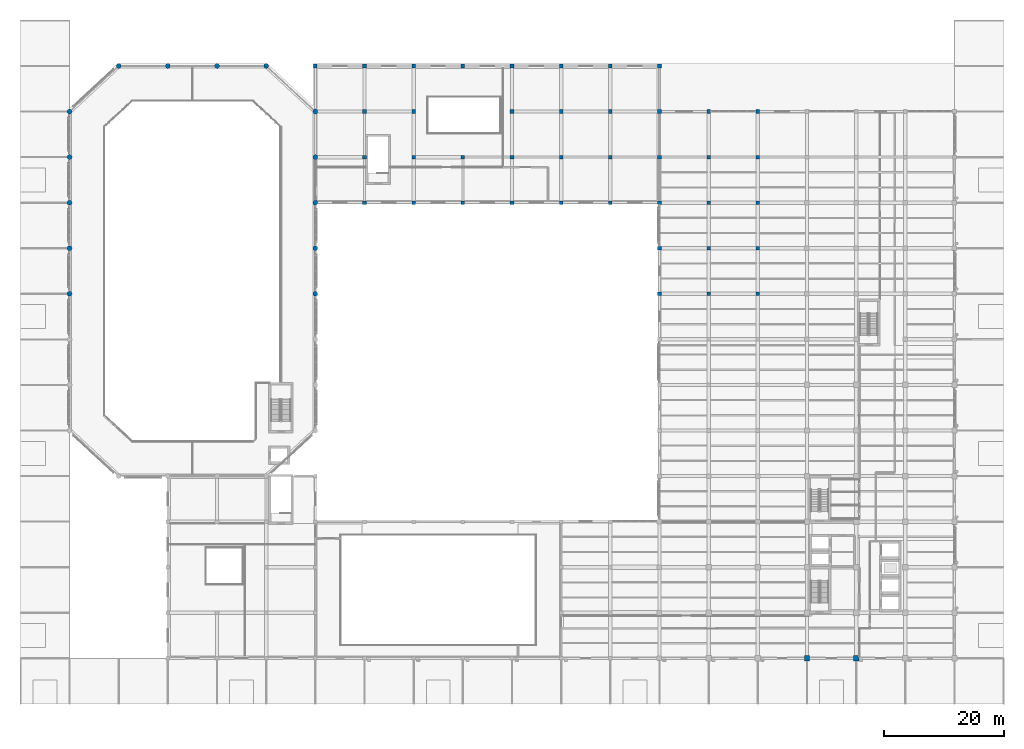
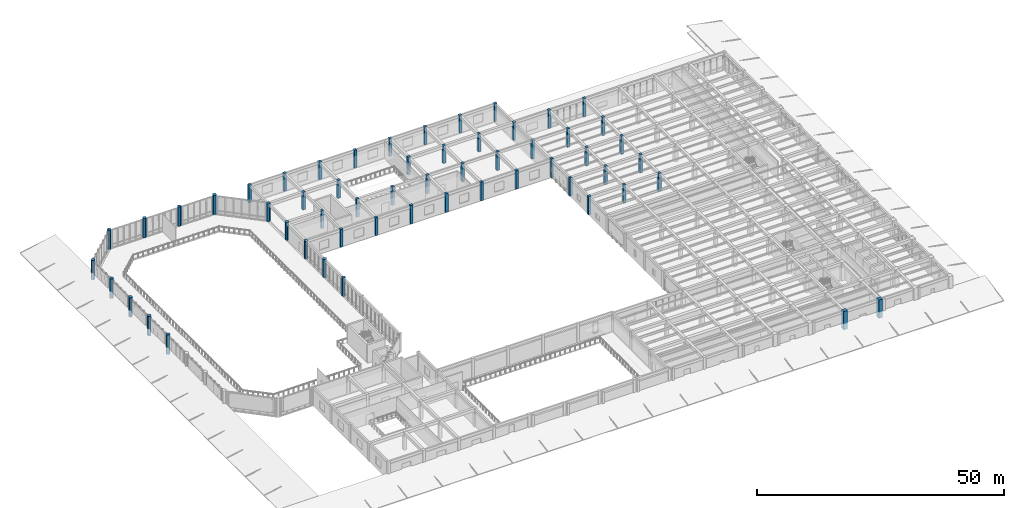
# One storey, part 2 of 57: 56 columns.
"""IFC4 building model written with IfcOpenShell, lengths in metres."""

from ifc_helpers import new_model, si_unit, direction, frame, origin, origin_2d, place, context, subcontext, project, spatial, rectangle, circle, extrude, material, material_profile, profile_set, type_object, element, save


model = new_model("IFC4")

# Units and contexts
model_context = context("Model", 3, precision=1e-05, world=origin(), true_north=direction((0.0, 1.0)))
body_context = subcontext(model_context, "Body", "Model", "MODEL_VIEW")
ifc_project = project(units=[si_unit("LENGTHUNIT", "METRE"), si_unit("AREAUNIT", "SQUARE_METRE"), si_unit("VOLUMEUNIT", "CUBIC_METRE"), si_unit("PLANEANGLEUNIT", "RADIAN"), si_unit("MASSUNIT", "GRAM", prefix="KILO")], contexts=[model_context])

# Site, building, storey
site_placement = place(None, origin())
site = spatial("IfcSite", under=ifc_project, at=site_placement, CompositionType="ELEMENT")
building_placement = place(site_placement, origin())
building = spatial("IfcBuilding", under=site, at=building_placement, Name="Qandaris Square Conservatory and Botanical Centre", CompositionType="ELEMENT")
storey_placement = place(building_placement, frame((0.0, 0.0, 5.39990234375)))
storey = spatial("IfcBuildingStorey", under=building, at=storey_placement, Name="L01", CompositionType="ELEMENT", Elevation=5.39990234375)

# Columns
ifc_material_1 = material(Name="Concrete C50/60", Category="concrete")
ifc_material_profile_1 = material_profile(ifc_material_1, circle(Radius=0.39990234375, at=origin_2d()), Name="RC-COL D800")
ifc_profile_set_1 = profile_set([ifc_material_profile_1], Name="Concrete C50/60")
column_type_1 = type_object("IfcColumnType", Name="Conservatory Ring Pier D800", PredefinedType="COLUMN", material=ifc_profile_set_1)
for number, where, z_axis, x_axis, name in (
    (1, (16.199951171875, 77.39990234375, 0.0), (0.0, 0.0, 1.0), (1.0, 0.0, 0.0), "Column K2 (L01)"),
    (2, (16.199951171875, 85.0, 0.0), (0.0, 0.0, 1.0), (1.0, 0.0, 0.0), "Column L2 (L01)"),
    (3, (16.199951171875, 92.60009765625, 0.0), (0.0, 0.0, 1.0), (1.0, 0.0, 0.0), "Column M2 (L01)"),
    (4, (16.199951171875, 100.199951171875, 0.0), (0.0, 0.0, 1.0), (1.0, 0.0, 0.0), "Column N2 (L01)"),
    (5, (16.199951171875, 107.800048828125, 0.0), (0.0, 0.0, 1.0), (1.0, 0.0, 0.0), "Column P2 (L01)"),
    (6, (24.39990234375, 115.39990234375, 0.0), (0.0, 0.0, 1.0), (1.0, 0.0, 0.0), "Column Q3 (L01)"),
    (7, (32.60009765625, 115.39990234375, 0.0), (0.0, 0.0, 1.0), (1.0, 0.0, 0.0), "Column Q4 (L01)"),
    (8, (40.800048828125, 115.39990234375, 0.0), (0.0, 0.0, 1.0), (1.0, 0.0, 0.0), "Column Q5 (L01)"),
    (9, (49.0, 115.39990234375, 0.0), (0.0, 0.0, 1.0), (1.0, 0.0, 0.0), "Column Q6 (L01)"),
):
    element("IfcColumn", number, at=place(storey_placement, frame(where, z_axis=z_axis, x_axis=x_axis)), inside=storey, type_object=column_type_1, Name=name, PredefinedType="COLUMN", context=body_context, shape_type="SweptSolid", body=[
        extrude(circle(Radius=0.39990234375, at=origin_2d()), origin(), (0.0, 0.0, 1.0), 4.800048828125),
    ])
for number, where, z_axis, x_axis, name in (
    (10, (57.199951171875, 77.39990234375, 0.0), (0.0, 0.0, 1.0), (1.0, 0.0, 0.0), "Column K7 (L01)"),
    (11, (57.199951171875, 85.0, 0.0), (0.0, 0.0, 1.0), (1.0, 0.0, 0.0), "Column L7 (L01)"),
):
    element("IfcColumn", number, at=place(storey_placement, frame(where, z_axis=z_axis, x_axis=x_axis)), inside=storey, type_object=column_type_1, Name=name, PredefinedType="COLUMN", context=body_context, shape_type="SweptSolid", body=[
        extrude(circle(Radius=0.39990234375, at=origin_2d()), origin(), (0.0, 0.0, 1.0), 4.52001953125),
    ])
for number, where, z_axis, x_axis, name in (
    (12, (57.199951171875, 92.60009765625, 0.0), (0.0, 0.0, 1.0), (1.0, 0.0, 0.0), "Column M7 (L01)"),
    (13, (57.199951171875, 100.199951171875, 0.0), (0.0, 0.0, 1.0), (1.0, 0.0, 0.0), "Column N7 (L01)"),
    (14, (57.199951171875, 107.800048828125, 0.0), (0.0, 0.0, 1.0), (1.0, 0.0, 0.0), "Column P7 (L01)"),
):
    element("IfcColumn", number, at=place(storey_placement, frame(where, z_axis=z_axis, x_axis=x_axis)), inside=storey, type_object=column_type_1, Name=name, PredefinedType="COLUMN", context=body_context, shape_type="SweptSolid", body=[
        extrude(circle(Radius=0.39990234375, at=origin_2d()), origin(), (0.0, 0.0, 1.0), 4.420166015625),
    ])
ifc_material_2 = material(Name="Concrete C40/50", Category="concrete")
ifc_material_profile_2 = material_profile(ifc_material_2, rectangle(XDim=0.60009765625, YDim=0.60009765625, at=origin_2d()), Name="RC-COL 600x600")
ifc_profile_set_2 = profile_set([ifc_material_profile_2], Name="Concrete C40/50")
column_type_2 = type_object("IfcColumnType", Name="RC Column 600x600", PredefinedType="COLUMN", material=ifc_profile_set_2)
for number, where, z_axis, x_axis, name in (
    (15, (57.199951171875, 115.39990234375, 0.0), (0.0, 0.0, 1.0), (1.0, 0.0, 0.0), "Column Q7 (L01)"),
    (16, (65.39990234375, 92.60009765625, 0.0), (0.0, 0.0, 1.0), (1.0, 0.0, 0.0), "Column M8 (L01)"),
    (17, (65.39990234375, 100.199951171875, 0.0), (0.0, 0.0, 1.0), (1.0, 0.0, 0.0), "Column N8 (L01)"),
    (18, (65.39990234375, 107.800048828125, 0.0), (0.0, 0.0, 1.0), (1.0, 0.0, 0.0), "Column P8 (L01)"),
    (19, (65.39990234375, 115.39990234375, 0.0), (0.0, 0.0, 1.0), (1.0, 0.0, 0.0), "Column Q8 (L01)"),
    (20, (73.60009765625, 92.60009765625, 0.0), (0.0, 0.0, 1.0), (1.0, 0.0, 0.0), "Column M9 (L01)"),
    (21, (73.60009765625, 100.199951171875, 0.0), (0.0, 0.0, 1.0), (1.0, 0.0, 0.0), "Column N9 (L01)"),
    (22, (73.60009765625, 107.800048828125, 0.0), (0.0, 0.0, 1.0), (1.0, 0.0, 0.0), "Column P9 (L01)"),
    (23, (73.60009765625, 115.39990234375, 0.0), (0.0, 0.0, 1.0), (1.0, 0.0, 0.0), "Column Q9 (L01)"),
):
    element("IfcColumn", number, at=place(storey_placement, frame(where, z_axis=z_axis, x_axis=x_axis)), inside=storey, type_object=column_type_2, Name=name, PredefinedType="COLUMN", context=body_context, shape_type="SweptSolid", body=[
        extrude(rectangle(XDim=0.60009765625, YDim=0.60009765625, at=origin_2d()), origin(), (0.0, 0.0, 1.0), 4.420166015625),
    ])
for number, where, z_axis, x_axis, name in (
    (24, (81.800048828125, 92.60009765625, 0.0), (0.0, 0.0, 1.0), (1.0, 0.0, 0.0), "Column M10 (L01)"),
    (25, (81.800048828125, 100.199951171875, 0.0), (0.0, 0.0, 1.0), (1.0, 0.0, 0.0), "Column N10 (L01)"),
):
    element("IfcColumn", number, at=place(storey_placement, frame(where, z_axis=z_axis, x_axis=x_axis)), inside=storey, type_object=column_type_2, Name=name, PredefinedType="COLUMN", context=body_context, shape_type="SweptSolid", body=[
        extrude(rectangle(XDim=0.60009765625, YDim=0.60009765625, at=origin_2d()), origin(), (0.0, 0.0, 1.0), 4.585205078125),
    ])
column_1_placement = place(storey_placement, frame((81.800048828125, 115.39990234375, 0.0), z_axis=(0.0, 0.0, 1.0), x_axis=(1.0, 0.0, 0.0)))
element("IfcColumn", 26, at=column_1_placement, inside=storey, type_object=column_type_2, Name="Column Q10 (L01)", PredefinedType="COLUMN", context=body_context, shape_type="SweptSolid", body=[
    extrude(rectangle(XDim=0.60009765625, YDim=0.60009765625, at=origin_2d()), origin(), (0.0, 0.0, 1.0), 4.420166015625),
])
for number, where, z_axis, x_axis, name in (
    (27, (90.0, 92.60009765625, 0.0), (0.0, 0.0, 1.0), (1.0, 0.0, 0.0), "Column M11 (L01)"),
    (28, (90.0, 100.199951171875, 0.0), (0.0, 0.0, 1.0), (1.0, 0.0, 0.0), "Column N11 (L01)"),
):
    element("IfcColumn", number, at=place(storey_placement, frame(where, z_axis=z_axis, x_axis=x_axis)), inside=storey, type_object=column_type_2, Name=name, PredefinedType="COLUMN", context=body_context, shape_type="SweptSolid", body=[
        extrude(rectangle(XDim=0.60009765625, YDim=0.60009765625, at=origin_2d()), origin(), (0.0, 0.0, 1.0), 4.585205078125),
    ])
for number, where, z_axis, x_axis, name in (
    (29, (90.0, 107.800048828125, 0.0), (0.0, 0.0, 1.0), (1.0, 0.0, 0.0), "Column P11 (L01)"),
    (30, (90.0, 115.39990234375, 0.0), (0.0, 0.0, 1.0), (1.0, 0.0, 0.0), "Column Q11 (L01)"),
):
    element("IfcColumn", number, at=place(storey_placement, frame(where, z_axis=z_axis, x_axis=x_axis)), inside=storey, type_object=column_type_2, Name=name, PredefinedType="COLUMN", context=body_context, shape_type="SweptSolid", body=[
        extrude(rectangle(XDim=0.60009765625, YDim=0.60009765625, at=origin_2d()), origin(), (0.0, 0.0, 1.0), 4.420166015625),
    ])
for number, where, z_axis, x_axis, name in (
    (31, (98.199951171875, 92.60009765625, 0.0), (0.0, 0.0, 1.0), (1.0, 0.0, 0.0), "Column M12 (L01)"),
    (32, (98.199951171875, 100.199951171875, 0.0), (0.0, 0.0, 1.0), (1.0, 0.0, 0.0), "Column N12 (L01)"),
):
    element("IfcColumn", number, at=place(storey_placement, frame(where, z_axis=z_axis, x_axis=x_axis)), inside=storey, type_object=column_type_2, Name=name, PredefinedType="COLUMN", context=body_context, shape_type="SweptSolid", body=[
        extrude(rectangle(XDim=0.60009765625, YDim=0.60009765625, at=origin_2d()), origin(), (0.0, 0.0, 1.0), 4.585205078125),
    ])
for number, where, z_axis, x_axis, name in (
    (33, (98.199951171875, 107.800048828125, 0.0), (0.0, 0.0, 1.0), (1.0, 0.0, 0.0), "Column P12 (L01)"),
    (34, (98.199951171875, 115.39990234375, 0.0), (0.0, 0.0, 1.0), (1.0, 0.0, 0.0), "Column Q12 (L01)"),
):
    element("IfcColumn", number, at=place(storey_placement, frame(where, z_axis=z_axis, x_axis=x_axis)), inside=storey, type_object=column_type_2, Name=name, PredefinedType="COLUMN", context=body_context, shape_type="SweptSolid", body=[
        extrude(rectangle(XDim=0.60009765625, YDim=0.60009765625, at=origin_2d()), origin(), (0.0, 0.0, 1.0), 4.420166015625),
    ])
for number, where, z_axis, x_axis, name in (
    (35, (106.39990234375, 92.60009765625, 0.0), (0.0, 0.0, 1.0), (1.0, 0.0, 0.0), "Column M13 (L01)"),
    (36, (106.39990234375, 100.199951171875, 0.0), (0.0, 0.0, 1.0), (1.0, 0.0, 0.0), "Column N13 (L01)"),
):
    element("IfcColumn", number, at=place(storey_placement, frame(where, z_axis=z_axis, x_axis=x_axis)), inside=storey, type_object=column_type_2, Name=name, PredefinedType="COLUMN", context=body_context, shape_type="SweptSolid", body=[
        extrude(rectangle(XDim=0.60009765625, YDim=0.60009765625, at=origin_2d()), origin(), (0.0, 0.0, 1.0), 4.585205078125),
    ])
for number, where, z_axis, x_axis, name in (
    (37, (106.39990234375, 107.800048828125, 0.0), (0.0, 0.0, 1.0), (1.0, 0.0, 0.0), "Column P13 (L01)"),
    (38, (106.39990234375, 115.39990234375, 0.0), (0.0, 0.0, 1.0), (1.0, 0.0, 0.0), "Column Q13 (L01)"),
):
    element("IfcColumn", number, at=place(storey_placement, frame(where, z_axis=z_axis, x_axis=x_axis)), inside=storey, type_object=column_type_2, Name=name, PredefinedType="COLUMN", context=body_context, shape_type="SweptSolid", body=[
        extrude(rectangle(XDim=0.60009765625, YDim=0.60009765625, at=origin_2d()), origin(), (0.0, 0.0, 1.0), 4.420166015625),
    ])
for number, where, z_axis, x_axis, name in (
    (39, (114.60009765625, 77.39990234375, 0.0), (0.0, 0.0, 1.0), (1.0, 0.0, 0.0), "Column K14 (L01)"),
    (40, (114.60009765625, 85.0, 0.0), (0.0, 0.0, 1.0), (1.0, 0.0, 0.0), "Column L14 (L01)"),
):
    element("IfcColumn", number, at=place(storey_placement, frame(where, z_axis=z_axis, x_axis=x_axis)), inside=storey, type_object=column_type_2, Name=name, PredefinedType="COLUMN", context=body_context, shape_type="SweptSolid", body=[
        extrude(rectangle(XDim=0.60009765625, YDim=0.60009765625, at=origin_2d()), origin(), (0.0, 0.0, 1.0), 4.52001953125),
    ])
column_2_placement = place(storey_placement, frame((114.60009765625, 92.60009765625, 0.0), z_axis=(0.0, 0.0, 1.0), x_axis=(1.0, 0.0, 0.0)))
element("IfcColumn", 41, at=column_2_placement, inside=storey, type_object=column_type_2, Name="Column M14 (L01)", PredefinedType="COLUMN", context=body_context, shape_type="SweptSolid", body=[
    extrude(rectangle(XDim=0.60009765625, YDim=0.60009765625, at=origin_2d()), origin(), (0.0, 0.0, 1.0), 4.585205078125),
])
column_3_placement = place(storey_placement, frame((114.60009765625, 100.199951171875, 0.0), z_axis=(0.0, 0.0, 1.0), x_axis=(1.0, 0.0, 0.0)))
element("IfcColumn", 42, at=column_3_placement, inside=storey, type_object=column_type_2, Name="Column N14 (L01)", PredefinedType="COLUMN", context=body_context, shape_type="SweptSolid", body=[
    extrude(rectangle(XDim=0.60009765625, YDim=0.60009765625, at=origin_2d()), origin(), (0.0, 0.0, 1.0), 4.545166015625),
])
for number, where, z_axis, x_axis, name in (
    (43, (114.60009765625, 107.800048828125, 0.0), (0.0, 0.0, 1.0), (1.0, 0.0, 0.0), "Column P14 (L01)"),
    (44, (114.60009765625, 115.39990234375, 0.0), (0.0, 0.0, 1.0), (1.0, 0.0, 0.0), "Column Q14 (L01)"),
):
    element("IfcColumn", number, at=place(storey_placement, frame(where, z_axis=z_axis, x_axis=x_axis)), inside=storey, type_object=column_type_2, Name=name, PredefinedType="COLUMN", context=body_context, shape_type="SweptSolid", body=[
        extrude(rectangle(XDim=0.60009765625, YDim=0.60009765625, at=origin_2d()), origin(), (0.0, 0.0, 1.0), 4.420166015625),
    ])
for number, where, z_axis, x_axis, name in (
    (45, (122.800048828125, 77.39990234375, 0.0), (0.0, 0.0, 1.0), (1.0, 0.0, 0.0), "Column K15 (L01)"),
    (46, (122.800048828125, 85.0, 0.0), (0.0, 0.0, 1.0), (1.0, 0.0, 0.0), "Column L15 (L01)"),
    (47, (122.800048828125, 92.60009765625, 0.0), (0.0, 0.0, 1.0), (1.0, 0.0, 0.0), "Column M15 (L01)"),
):
    element("IfcColumn", number, at=place(storey_placement, frame(where, z_axis=z_axis, x_axis=x_axis)), inside=storey, type_object=column_type_2, Name=name, PredefinedType="COLUMN", context=body_context, shape_type="SweptSolid", body=[
        extrude(rectangle(XDim=0.60009765625, YDim=0.60009765625, at=origin_2d()), origin(), (0.0, 0.0, 1.0), 4.52001953125),
    ])
for number, where, z_axis, x_axis, name in (
    (48, (122.800048828125, 100.199951171875, 0.0), (0.0, 0.0, 1.0), (1.0, 0.0, 0.0), "Column N15 (L01)"),
    (49, (122.800048828125, 107.800048828125, 0.0), (0.0, 0.0, 1.0), (1.0, 0.0, 0.0), "Column P15 (L01)"),
):
    element("IfcColumn", number, at=place(storey_placement, frame(where, z_axis=z_axis, x_axis=x_axis)), inside=storey, type_object=column_type_2, Name=name, PredefinedType="COLUMN", context=body_context, shape_type="SweptSolid", body=[
        extrude(rectangle(XDim=0.60009765625, YDim=0.60009765625, at=origin_2d()), origin(), (0.0, 0.0, 1.0), 4.545166015625),
    ])
for number, where, z_axis, x_axis, name in (
    (50, (131.0, 77.39990234375, 0.0), (0.0, 0.0, 1.0), (1.0, 0.0, 0.0), "Column K16 (L01)"),
    (51, (131.0, 85.0, 0.0), (0.0, 0.0, 1.0), (1.0, 0.0, 0.0), "Column L16 (L01)"),
    (52, (131.0, 92.60009765625, 0.0), (0.0, 0.0, 1.0), (1.0, 0.0, 0.0), "Column M16 (L01)"),
):
    element("IfcColumn", number, at=place(storey_placement, frame(where, z_axis=z_axis, x_axis=x_axis)), inside=storey, type_object=column_type_2, Name=name, PredefinedType="COLUMN", context=body_context, shape_type="SweptSolid", body=[
        extrude(rectangle(XDim=0.60009765625, YDim=0.60009765625, at=origin_2d()), origin(), (0.0, 0.0, 1.0), 4.52001953125),
    ])
for number, where, z_axis, x_axis, name in (
    (53, (131.0, 100.199951171875, 0.0), (0.0, 0.0, 1.0), (1.0, 0.0, 0.0), "Column N16 (L01)"),
    (54, (131.0, 107.800048828125, 0.0), (0.0, 0.0, 1.0), (1.0, 0.0, 0.0), "Column P16 (L01)"),
):
    element("IfcColumn", number, at=place(storey_placement, frame(where, z_axis=z_axis, x_axis=x_axis)), inside=storey, type_object=column_type_2, Name=name, PredefinedType="COLUMN", context=body_context, shape_type="SweptSolid", body=[
        extrude(rectangle(XDim=0.60009765625, YDim=0.60009765625, at=origin_2d()), origin(), (0.0, 0.0, 1.0), 4.545166015625),
    ])
ifc_material_profile_3 = material_profile(ifc_material_1, rectangle(XDim=0.89990234375, YDim=0.89990234375, at=origin_2d()), Name="RC-COL 900x900")
ifc_profile_set_3 = profile_set([ifc_material_profile_3], Name="Concrete C50/60")
column_type_3 = type_object("IfcColumnType", Name="RC Column 900x900", PredefinedType="COLUMN", material=ifc_profile_set_3)
for number, where, z_axis, x_axis, name in (
    (55, (139.199951171875, 16.60009765625, 0.0), (0.0, 0.0, 1.0), (1.0, 0.0, 0.0), "Column B17 (L01)"),
    (56, (147.39990234375, 16.60009765625, 0.0), (0.0, 0.0, 1.0), (1.0, 0.0, 0.0), "Column B18 (L01)"),
):
    element("IfcColumn", number, at=place(storey_placement, frame(where, z_axis=z_axis, x_axis=x_axis)), inside=storey, type_object=column_type_3, Name=name, PredefinedType="COLUMN", context=body_context, shape_type="SweptSolid", body=[
        extrude(rectangle(XDim=0.89990234375, YDim=0.89990234375, at=origin_2d()), origin(), (0.0, 0.0, 1.0), 4.545166015625),
    ])

save(model, "model.ifc")
